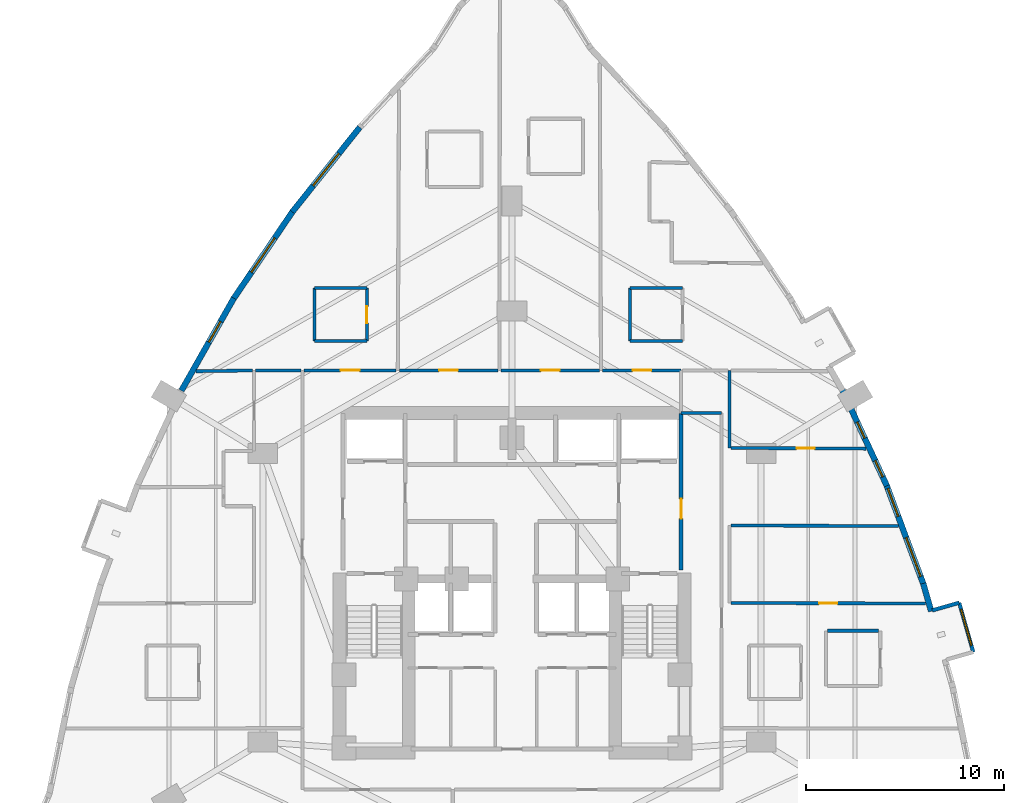
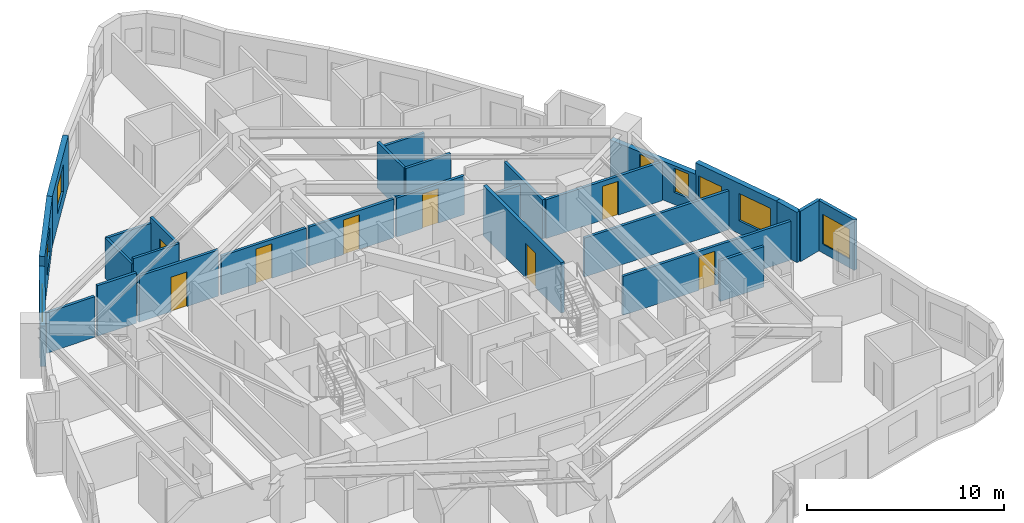
# One storey, part 10 of 13: 28 walls, 8 doors, 8 windows, 16 openings.
"""IFC4 building model written with IfcOpenShell, lengths in metres."""

from ifc_helpers import new_model, si_unit, direction, frame, frame_2d, origin, place, context, subcontext, project, spatial, rectangle, extrude, material, layer, layer_set, type_object, element, fill, save


model = new_model("IFC4")

# Units and contexts
model_context = context("Model", 3, precision=1e-05, world=origin(), true_north=direction((0.0, 1.0)))
body_context = subcontext(model_context, "Body", "Model", "MODEL_VIEW")
ifc_project = project(units=[si_unit("LENGTHUNIT", "METRE"), si_unit("AREAUNIT", "SQUARE_METRE"), si_unit("VOLUMEUNIT", "CUBIC_METRE"), si_unit("PLANEANGLEUNIT", "RADIAN"), si_unit("MASSUNIT", "GRAM", prefix="KILO")], contexts=[model_context])

# Site, building, storey
site_placement = place(None, origin())
site = spatial("IfcSite", under=ifc_project, at=site_placement, CompositionType="ELEMENT")
building_placement = place(site_placement, origin())
building = spatial("IfcBuilding", under=site, at=building_placement, Name="Miruveldt Soraemaru", CompositionType="ELEMENT")
storey_placement = place(building_placement, frame((0.0, 0.0, 46.199951171875)))
storey = spatial("IfcBuildingStorey", under=building, at=storey_placement, Name="L12", CompositionType="ELEMENT", Elevation=46.199951171875)

# Wall
ifc_material_1 = material(Name="White powder-coated aluminium EN AW-6060 T6", Category="aluminium")
ifc_layer_1 = layer(ifc_material_1, 0.18994140625, Name="White powder-coated aluminium EN AW-6060 T6", Category="aluminium")
ifc_layer_set_1 = layer_set([ifc_layer_1], Name="White powder-coated aluminium EN AW-6060 T6")
wall_type_1 = type_object("IfcWallType", Name="WALL-BAY-ALU190", PredefinedType="SOLIDWALL", material=ifc_layer_set_1)
wall_1_placement = place(storey_placement, frame((66.62158203125, 42.850830078125, 0.0), z_axis=(0.0, 0.0, 1.0), x_axis=(-0.961452801096, -0.274970018845, 0.0)))
element("IfcWall", 1, at=wall_1_placement, inside=storey, type_object=wall_type_1, Name="L12 Bay Window Side Cheek 5R", PredefinedType="SOLIDWALL", context=body_context, shape_type="SweptSolid", body=[
    extrude(rectangle(XDim=1.425048828125, YDim=0.18994140625, at=frame_2d((0.71240234375, 0.0))), origin(), (0.0, 0.0, 1.0), 3.125),
])

# Wall, opening, window
wall_2_placement = place(storey_placement, frame((67.33642578125, 40.35107421875, 0.0), z_axis=(0.0, 0.0, 1.0), x_axis=(-0.274944358644, 0.961460139397, 0.0)))
wall_2 = element("IfcWall", 2, at=wall_2_placement, inside=storey, type_object=wall_type_1, Name="L12 Bay Window Front Frame 5", PredefinedType="SOLIDWALL", context=body_context, shape_type="SweptSolid", body=[
    extrude(rectangle(XDim=2.599853515625, YDim=0.18994140625, at=frame_2d((1.2998046875, 0.0))), origin(), (0.0, 0.0, 1.0), 3.125),
])
opening_1_placement = place(wall_2_placement, frame((0.35009765625, 0.0, 0.550048828125)))
opening_1 = element("IfcOpeningElement", 3, at=opening_1_placement, cuts=wall_2, Name="Opening WN-6", PredefinedType="OPENING", context=body_context, shape_type="SweptSolid", body=[
    extrude(rectangle(XDim=1.89990234375, YDim=1.85009765625, at=frame_2d((0.949951171875, 0.925048828125))), frame((0.0, 0.10498046875, 0.0), z_axis=(0.0, -1.0, 0.0), x_axis=(1.0, 0.0, 0.0)), (0.0, 0.0, 1.0), 0.2099609375),
])
ifc_material_2 = material(Name="Triple low-e insulated glazing", Category="glass")
window_type_1 = type_object("IfcWindowType", Name="WIN-BAYW-1900x1850", PartitioningType="SINGLE_PANEL", PredefinedType="WINDOW", material=ifc_material_2)
window_1_placement = place(opening_1_placement, origin())
window_1 = element("IfcWindow", 4, at=window_1_placement, inside=storey, type_object=window_type_1, Name="L12 Projecting Bay Window 5", OverallHeight=1.85009765625, OverallWidth=1.89990234375, PartitioningType="SINGLE_PANEL", PredefinedType="WINDOW", context=body_context, shape_type="SweptSolid", body=[
    extrude(rectangle(XDim=1.89990234375, YDim=1.85009765625, at=frame_2d((0.949951171875, 0.925048828125))), frame((0.0, 0.030029296875, 0.0), z_axis=(0.0, -1.0, 0.0), x_axis=(1.0, 0.0, 0.0)), (0.0, 0.0, 1.0), 0.06005859375),
])
fill(opening_1, window_1)

ifc_material_3 = material(Name="Precast concrete C45/55 (45 MPa)", Category="concrete")
ifc_layer_2 = layer(ifc_material_3, 0.300048828125, Name="Precast concrete C45/55 (45 MPa)", Category="concrete")
ifc_layer_set_2 = layer_set([ifc_layer_2], Name="Precast concrete C45/55 (45 MPa)")
wall_type_2 = type_object("IfcWallType", Name="WALL-EXT-PC300", PredefinedType="SOLIDWALL", material=ifc_layer_set_2)
wall_3_placement = place(storey_placement, frame((36.29931640625, 66.89990234375, 0.0), z_axis=(0.0, 0.0, 1.0), x_axis=(-0.623574647448, -0.781763812836, 0.0)))
wall_3 = element("IfcWall", 5, at=wall_3_placement, inside=storey, type_object=wall_type_2, Name="L12 Precast Concrete Facade Wall 8", PredefinedType="SOLIDWALL", context=body_context, shape_type="SweptSolid", body=[
    extrude(rectangle(XDim=5.477294921875, YDim=0.300048828125, at=frame_2d((2.73876953125, 0.0))), origin(), (0.0, 0.0, 1.0), 3.125),
])
opening_2_placement = place(wall_3_placement, frame((1.68798828125, 0.0, 0.800048828125)))
opening_2 = element("IfcOpeningElement", 6, at=opening_2_placement, cuts=wall_3, Name="Opening WN-1", PredefinedType="OPENING", context=body_context, shape_type="SweptSolid", body=[
    extrude(rectangle(XDim=2.10009765625, YDim=1.699951171875, at=frame_2d((1.050048828125, 0.85009765625))), frame((0.0, 0.16015625, 0.0), z_axis=(0.0, -1.0, 0.0), x_axis=(1.0, 0.0, 0.0)), (0.0, 0.0, 1.0), 0.320068359375),
])
window_type_2 = type_object("IfcWindowType", Name="WIN-PUNCH-2100x1700", PartitioningType="SINGLE_PANEL", PredefinedType="WINDOW", material=ifc_material_2)
window_2_placement = place(opening_2_placement, origin())
window_2 = element("IfcWindow", 7, at=window_2_placement, inside=storey, type_object=window_type_2, Name="L12 Punched Triple-Glazed Window 08.1", OverallHeight=1.699951171875, OverallWidth=2.10009765625, PartitioningType="SINGLE_PANEL", PredefinedType="WINDOW", context=body_context, shape_type="SweptSolid", body=[
    extrude(rectangle(XDim=2.10009765625, YDim=1.699951171875, at=frame_2d((1.050048828125, 0.85009765625))), frame((0.0, 0.030029296875, 0.0), z_axis=(0.0, -1.0, 0.0), x_axis=(1.0, 0.0, 0.0)), (0.0, 0.0, 1.0), 0.06005859375),
])
fill(opening_2, window_2)

wall_4_placement = place(storey_placement, frame((32.925048828125, 62.67431640625, 0.0), z_axis=(0.0, 0.0, 1.0), x_axis=(-0.560829186842, -0.827931532909, 0.0)))
wall_4 = element("IfcWall", 8, at=wall_4_placement, inside=storey, type_object=wall_type_2, Name="L12 Precast Concrete Facade Wall 9", PredefinedType="SOLIDWALL", context=body_context, shape_type="SweptSolid", body=[
    extrude(rectangle(XDim=5.41015625, YDim=0.300048828125, at=frame_2d((2.705078125, 0.0))), origin(), (0.0, 0.0, 1.0), 3.125),
])
opening_3_placement = place(wall_4_placement, frame((1.655029296875, 0.0, 0.800048828125)))
opening_3 = element("IfcOpeningElement", 9, at=opening_3_placement, cuts=wall_4, Name="Opening WN-1", PredefinedType="OPENING", context=body_context, shape_type="SweptSolid", body=[
    extrude(rectangle(XDim=2.10009765625, YDim=1.699951171875, at=frame_2d((1.050048828125, 0.85009765625))), frame((0.0, 0.16015625, 0.0), z_axis=(0.0, -1.0, 0.0), x_axis=(1.0, 0.0, 0.0)), (0.0, 0.0, 1.0), 0.320068359375),
])
window_3_placement = place(opening_3_placement, origin())
window_3 = element("IfcWindow", 10, at=window_3_placement, inside=storey, type_object=window_type_2, Name="L12 Punched Triple-Glazed Window 09.1", OverallHeight=1.699951171875, OverallWidth=2.10009765625, PartitioningType="SINGLE_PANEL", PredefinedType="WINDOW", context=body_context, shape_type="SweptSolid", body=[
    extrude(rectangle(XDim=2.10009765625, YDim=1.699951171875, at=frame_2d((1.050048828125, 0.85009765625))), frame((0.0, 0.030029296875, 0.0), z_axis=(0.0, -1.0, 0.0), x_axis=(1.0, 0.0, 0.0)), (0.0, 0.0, 1.0), 0.06005859375),
])
fill(opening_3, window_3)

wall_5_placement = place(storey_placement, frame((29.927734375, 58.25439453125, 0.0), z_axis=(0.0, 0.0, 1.0), x_axis=(-0.49335395055, -0.869828649492, 0.0)))
wall_5 = element("IfcWall", 11, at=wall_5_placement, inside=storey, type_object=wall_type_2, Name="L12 Precast Concrete Facade Wall 10", PredefinedType="SOLIDWALL", context=body_context, shape_type="SweptSolid", body=[
    extrude(rectangle(XDim=5.376708984375, YDim=0.300048828125, at=frame_2d((2.6884765625, 0.0))), origin(), (0.0, 0.0, 1.0), 2.512939453125),
])
opening_4_placement = place(wall_5_placement, frame((1.35791015625, 0.0, 0.780029296875)))
opening_4 = element("IfcOpeningElement", 12, at=opening_4_placement, cuts=wall_5, Name="Opening WN-4", PredefinedType="OPENING", context=body_context, shape_type="SweptSolid", body=[
    extrude(rectangle(XDim=1.199951171875, YDim=1.550048828125, at=frame_2d((0.60009765625, 0.77490234375))), frame((0.0, 0.16015625, 0.0), z_axis=(0.0, -1.0, 0.0), x_axis=(1.0, 0.0, 0.0)), (0.0, 0.0, 1.0), 0.320068359375),
])
window_type_3 = type_object("IfcWindowType", Name="WIN-PUNCH-1200x1550", PartitioningType="SINGLE_PANEL", PredefinedType="WINDOW", material=ifc_material_2)
window_4_placement = place(opening_4_placement, origin())
window_4 = element("IfcWindow", 13, at=window_4_placement, inside=storey, type_object=window_type_3, Name="L12 Punched Triple-Glazed Window 10.1", OverallHeight=1.550048828125, OverallWidth=1.199951171875, PartitioningType="SINGLE_PANEL", PredefinedType="WINDOW", context=body_context, shape_type="SweptSolid", body=[
    extrude(rectangle(XDim=1.199951171875, YDim=1.550048828125, at=frame_2d((0.60009765625, 0.77490234375))), frame((0.0, 0.030029296875, 0.0), z_axis=(0.0, -1.0, 0.0), x_axis=(1.0, 0.0, 0.0)), (0.0, 0.0, 1.0), 0.06005859375),
])
fill(opening_4, window_4)

# Wall
wall_6_placement = place(storey_placement, frame((65.206787109375, 42.4150390625, 0.0), z_axis=(0.0, 0.0, 1.0), x_axis=(-0.274940666796, 0.961461195131, 0.0)))
element("IfcWall", 14, at=wall_6_placement, inside=storey, type_object=wall_type_2, Name="L12 Precast Pier Wall 36B", PredefinedType="SOLIDWALL", context=body_context, shape_type="SweptSolid", body=[
    extrude(rectangle(XDim=1.46875, YDim=0.300048828125, at=frame_2d((0.734375, 0.0))), origin(), (0.0, 0.0, 1.0), 3.125),
])

# Wall, openings, windows
wall_7_placement = place(storey_placement, frame((64.82470703125, 43.760498046875, 0.0), z_axis=(0.0, 0.0, 1.0), x_axis=(-0.349025890183, 0.937113081747, 0.0)))
wall_7 = element("IfcWall", 15, at=wall_7_placement, inside=storey, type_object=wall_type_2, Name="L12 Precast Concrete Facade Wall 37", PredefinedType="SOLIDWALL", context=body_context, shape_type="SweptSolid", body=[
    extrude(rectangle(XDim=5.41064453125, YDim=0.300048828125, at=frame_2d((2.705322265625, 0.0))), origin(), (0.0, 0.0, 1.0), 3.125),
])
opening_5_placement = place(wall_7_placement, frame((0.444091796875, 0.0, 0.800048828125)))
opening_5 = element("IfcOpeningElement", 16, at=opening_5_placement, cuts=wall_7, Name="Opening WN-1", PredefinedType="OPENING", context=body_context, shape_type="SweptSolid", body=[
    extrude(rectangle(XDim=2.10009765625, YDim=1.699951171875, at=frame_2d((1.050048828125, 0.85009765625))), frame((0.0, 0.16015625, 0.0), z_axis=(0.0, -1.0, 0.0), x_axis=(1.0, 0.0, 0.0)), (0.0, 0.0, 1.0), 0.320068359375),
])
opening_6_placement = place(wall_7_placement, frame((3.68896484375, 0.0, 0.800048828125)))
opening_6 = element("IfcOpeningElement", 17, at=opening_6_placement, cuts=wall_7, Name="Opening WN-3", PredefinedType="OPENING", context=body_context, shape_type="SweptSolid", body=[
    extrude(rectangle(XDim=1.5, YDim=1.60009765625, at=frame_2d((0.75, 0.800048828125))), frame((0.0, 0.16015625, 0.0), z_axis=(0.0, -1.0, 0.0), x_axis=(1.0, 0.0, 0.0)), (0.0, 0.0, 1.0), 0.320068359375),
])
window_type_4 = type_object("IfcWindowType", Name="WIN-PUNCH-1500x1600", PartitioningType="SINGLE_PANEL", PredefinedType="WINDOW", material=ifc_material_2)
window_5_placement = place(opening_6_placement, origin())
window_5 = element("IfcWindow", 18, at=window_5_placement, inside=storey, type_object=window_type_4, Name="L12 Punched Triple-Glazed Window 37.2", OverallHeight=1.60009765625, OverallWidth=1.5, PartitioningType="SINGLE_PANEL", PredefinedType="WINDOW", context=body_context, shape_type="SweptSolid", body=[
    extrude(rectangle(XDim=1.5, YDim=1.60009765625, at=frame_2d((0.75, 0.800048828125))), frame((0.0, 0.030029296875, 0.0), z_axis=(0.0, -1.0, 0.0), x_axis=(1.0, 0.0, 0.0)), (0.0, 0.0, 1.0), 0.06005859375),
])
fill(opening_6, window_5)
window_6_placement = place(opening_5_placement, origin())
window_6 = element("IfcWindow", 19, at=window_6_placement, inside=storey, type_object=window_type_2, Name="L12 Punched Triple-Glazed Window 37.1", OverallHeight=1.699951171875, OverallWidth=2.10009765625, PartitioningType="SINGLE_PANEL", PredefinedType="WINDOW", context=body_context, shape_type="SweptSolid", body=[
    extrude(rectangle(XDim=2.10009765625, YDim=1.699951171875, at=frame_2d((1.050048828125, 0.85009765625))), frame((0.0, 0.030029296875, 0.0), z_axis=(0.0, -1.0, 0.0), x_axis=(1.0, 0.0, 0.0)), (0.0, 0.0, 1.0), 0.06005859375),
])
fill(opening_5, window_6)

wall_8_placement = place(storey_placement, frame((62.96337890625, 48.76611328125, 0.0), z_axis=(0.0, 0.0, 1.0), x_axis=(-0.422286297116, 0.90646251068, 0.0)))
wall_8 = element("IfcWall", 20, at=wall_8_placement, inside=storey, type_object=wall_type_2, Name="L12 Precast Concrete Facade Wall 38", PredefinedType="SOLIDWALL", context=body_context, shape_type="SweptSolid", body=[
    extrude(rectangle(XDim=5.376708984375, YDim=0.300048828125, at=frame_2d((2.6884765625, 0.0))), origin(), (0.0, 0.0, 1.0), 2.4130859375),
])
opening_7_placement = place(wall_8_placement, frame((0.5029296875, 0.0, 0.7529296875)))
opening_7 = element("IfcOpeningElement", 21, at=opening_7_placement, cuts=wall_8, Name="Opening WN-7", PredefinedType="OPENING", context=body_context, shape_type="SweptSolid", body=[
    extrude(rectangle(XDim=0.89990234375, YDim=1.5, at=frame_2d((0.449951171875, 0.75))), frame((0.0, 0.16015625, 0.0), z_axis=(0.0, -1.0, 0.0), x_axis=(1.0, 0.0, 0.0)), (0.0, 0.0, 1.0), 0.320068359375),
])
opening_8_placement = place(wall_8_placement, frame((2.652099609375, 0.0, 0.7529296875)))
opening_8 = element("IfcOpeningElement", 22, at=opening_8_placement, cuts=wall_8, Name="Opening WN-7", PredefinedType="OPENING", context=body_context, shape_type="SweptSolid", body=[
    extrude(rectangle(XDim=0.89990234375, YDim=1.5, at=frame_2d((0.449951171875, 0.75))), frame((0.0, 0.16015625, 0.0), z_axis=(0.0, -1.0, 0.0), x_axis=(1.0, 0.0, 0.0)), (0.0, 0.0, 1.0), 0.320068359375),
])
window_type_5 = type_object("IfcWindowType", Name="WIN-PUNCH-900x1500", PartitioningType="SINGLE_PANEL", PredefinedType="WINDOW", material=ifc_material_2)
window_7_placement = place(opening_7_placement, origin())
window_7 = element("IfcWindow", 23, at=window_7_placement, inside=storey, type_object=window_type_5, Name="L12 Punched Triple-Glazed Window 38.1", OverallHeight=1.5, OverallWidth=0.89990234375, PartitioningType="SINGLE_PANEL", PredefinedType="WINDOW", context=body_context, shape_type="SweptSolid", body=[
    extrude(rectangle(XDim=0.89990234375, YDim=1.5, at=frame_2d((0.449951171875, 0.75))), frame((0.0, 0.030029296875, 0.0), z_axis=(0.0, -1.0, 0.0), x_axis=(1.0, 0.0, 0.0)), (0.0, 0.0, 1.0), 0.06005859375),
])
fill(opening_7, window_7)
window_8_placement = place(opening_8_placement, origin())
window_8 = element("IfcWindow", 24, at=window_8_placement, inside=storey, type_object=window_type_5, Name="L12 Punched Triple-Glazed Window 38.2", OverallHeight=1.5, OverallWidth=0.89990234375, PartitioningType="SINGLE_PANEL", PredefinedType="WINDOW", context=body_context, shape_type="SweptSolid", body=[
    extrude(rectangle(XDim=0.89990234375, YDim=1.5, at=frame_2d((0.449951171875, 0.75))), frame((0.0, 0.030029296875, 0.0), z_axis=(0.0, -1.0, 0.0), x_axis=(1.0, 0.0, 0.0)), (0.0, 0.0, 1.0), 0.06005859375),
])
fill(opening_8, window_8)

# Wall, opening, door
ifc_material_4 = material(Name="Gypsum plasterboard lining", Category="gypsum")
ifc_layer_3 = layer(ifc_material_4, 0.14990234375, Name="Gypsum plasterboard lining", Category="gypsum")
ifc_layer_set_3 = layer_set([ifc_layer_3], Name="Gypsum plasterboard lining")
wall_type_3 = type_object("IfcWallType", Name="WALL-INT-PLUMB", PredefinedType="PLUMBINGWALL", material=ifc_layer_set_3)
wall_9_placement = place(storey_placement, frame((36.656982421875, 56.080078125, 0.0), z_axis=(0.0, 0.0, 1.0), x_axis=(0.0, 1.0, 0.0)))
wall_9 = element("IfcWall", 25, at=wall_9_placement, inside=storey, type_object=wall_type_3, Name="L12 Partition Wall 13", PredefinedType="PLUMBINGWALL", context=body_context, shape_type="SweptSolid", body=[
    extrude(rectangle(XDim=2.699951171875, YDim=0.14990234375, at=frame_2d((1.35009765625, 0.0))), origin(), (0.0, 0.0, 1.0), 2.863037109375),
])
opening_9_placement = place(wall_9_placement, frame((0.909912109375, 0.0, 0.0)))
opening_9 = element("IfcOpeningElement", 26, at=opening_9_placement, cuts=wall_9, Name="Opening FD3", PredefinedType="OPENING", context=body_context, shape_type="SweptSolid", body=[
    extrude(rectangle(XDim=0.85009765625, YDim=2.10009765625, at=frame_2d((0.425048828125, 1.050048828125))), frame((0.0, 0.0849609375, 0.0), z_axis=(0.0, -1.0, 0.0), x_axis=(1.0, 0.0, 0.0)), (0.0, 0.0, 1.0), 0.169921875),
])
ifc_material_5 = material(Name="Anodised aluminium EN AW-6063 T6", Category="aluminium")
door_type_1 = type_object("IfcDoorType", Name="DOOR-FD3-850", OperationType="NOTDEFINED", PredefinedType="DOOR", material=ifc_material_5)
door_1_placement = place(opening_9_placement, origin())
door_1 = element("IfcDoor", 27, at=door_1_placement, inside=storey, type_object=door_type_1, Name="L12 Unit CL01 BTH Door", OperationType="SINGLE_SWING_LEFT", OverallHeight=2.10009765625, OverallWidth=0.85009765625, PredefinedType="DOOR", context=body_context, shape_type="SweptSolid", body=[
    extrude(rectangle(XDim=0.85009765625, YDim=2.10009765625, at=frame_2d((0.425048828125, 1.050048828125))), frame((0.0, 0.02490234375, 0.0), z_axis=(0.0, -1.0, 0.0), x_axis=(1.0, 0.0, 0.0)), (0.0, 0.0, 1.0), 0.050048828125),
])
fill(opening_9, door_1)

# Walls
wall_10_placement = place(storey_placement, frame((34.007080078125, 58.780029296875, 0.0), z_axis=(0.0, 0.0, 1.0), x_axis=(0.0, -1.0, 0.0)))
element("IfcWall", 28, at=wall_10_placement, inside=storey, type_object=wall_type_3, Name="L12 Partition Wall 15", PredefinedType="PLUMBINGWALL", context=body_context, shape_type="SweptSolid", body=[
    extrude(rectangle(XDim=2.699951171875, YDim=0.14990234375, at=frame_2d((1.35009765625, 0.0))), origin(), (0.0, 0.0, 1.0), 2.512939453125),
])
wall_11_placement = place(storey_placement, frame((49.97998046875, 58.780029296875, 0.0), z_axis=(0.0, 0.0, 1.0), x_axis=(0.0, -1.0, 0.0)))
element("IfcWall", 29, at=wall_11_placement, inside=storey, type_object=wall_type_3, Name="L12 Partition Wall 32", PredefinedType="PLUMBINGWALL", context=body_context, shape_type="SweptSolid", body=[
    extrude(rectangle(XDim=2.699951171875, YDim=0.14990234375, at=frame_2d((1.35009765625, 0.0))), origin(), (0.0, 0.0, 1.0), 2.863037109375),
])
wall_12_placement = place(storey_placement, frame((52.6298828125, 58.780029296875, 0.0), z_axis=(0.0, 0.0, 1.0), x_axis=(-1.0, 0.0, 0.0)))
element("IfcWall", 30, at=wall_12_placement, inside=storey, type_object=wall_type_3, Name="L12 Partition Wall 31", PredefinedType="PLUMBINGWALL", context=body_context, shape_type="SweptSolid", body=[
    extrude(rectangle(XDim=2.64990234375, YDim=0.14990234375, at=frame_2d((1.324951171875, 0.0))), origin(), (0.0, 0.0, 1.0), 2.512939453125),
])
wall_13_placement = place(storey_placement, frame((49.97998046875, 56.080078125, 0.0), z_axis=(0.0, 0.0, 1.0), x_axis=(1.0, 0.0, 0.0)))
element("IfcWall", 31, at=wall_13_placement, inside=storey, type_object=wall_type_3, Name="L12 Partition Wall 33", PredefinedType="PLUMBINGWALL", context=body_context, shape_type="SweptSolid", body=[
    extrude(rectangle(XDim=2.64990234375, YDim=0.14990234375, at=frame_2d((1.324951171875, 0.0))), origin(), (0.0, 0.0, 1.0), 2.863037109375),
])
wall_14_placement = place(storey_placement, frame((36.656982421875, 58.780029296875, 0.0), z_axis=(0.0, 0.0, 1.0), x_axis=(-1.0, 0.0, 0.0)))
element("IfcWall", 32, at=wall_14_placement, inside=storey, type_object=wall_type_3, Name="L12 Partition Wall 14", PredefinedType="PLUMBINGWALL", context=body_context, shape_type="SweptSolid", body=[
    extrude(rectangle(XDim=2.64990234375, YDim=0.14990234375, at=frame_2d((1.324951171875, 0.0))), origin(), (0.0, 0.0, 1.0), 2.512939453125),
])
wall_15_placement = place(storey_placement, frame((34.007080078125, 56.080078125, 0.0), z_axis=(0.0, 0.0, 1.0), x_axis=(1.0, 0.0, 0.0)))
element("IfcWall", 33, at=wall_15_placement, inside=storey, type_object=wall_type_3, Name="L12 Partition Wall 16", PredefinedType="PLUMBINGWALL", context=body_context, shape_type="SweptSolid", body=[
    extrude(rectangle(XDim=2.64990234375, YDim=0.14990234375, at=frame_2d((1.324951171875, 0.0))), origin(), (0.0, 0.0, 1.0), 2.863037109375),
])

# Wall, opening, door
ifc_material_6 = material(Name="Concrete C40/50 (40 MPa)", Category="concrete")
ifc_layer_4 = layer(ifc_material_6, 0.159912109375, Name="Concrete C40/50 (40 MPa)", Category="concrete")
ifc_layer_set_4 = layer_set([ifc_layer_4], Name="Concrete C40/50 (40 MPa)")
wall_type_4 = type_object("IfcWallType", Name="WALL-INT-RC160", PredefinedType="SOLIDWALL", material=ifc_layer_set_4)
wall_16_placement = place(storey_placement, frame((64.922119140625, 42.81201171875, 0.0), z_axis=(0.0, 0.0, 1.0), x_axis=(-0.999997281473, 0.002331747686, 0.0)))
wall_16 = element("IfcWall", 34, at=wall_16_placement, inside=storey, type_object=wall_type_4, Name="L12 Partition Wall 62", PredefinedType="SOLIDWALL", context=body_context, shape_type="SweptSolid", body=[
    extrude(rectangle(XDim=9.842041015625, YDim=0.159912109375, at=frame_2d((4.9208984375, 0.0))), origin(), (0.0, 0.0, 1.0), 2.4130859375),
])
opening_10_placement = place(wall_16_placement, frame((4.4609375, 0.0, 0.0)))
opening_10 = element("IfcOpeningElement", 35, at=opening_10_placement, cuts=wall_16, Name="Opening D3A", PredefinedType="OPENING", context=body_context, shape_type="SweptSolid", body=[
    extrude(rectangle(XDim=0.919921875, YDim=2.10009765625, at=frame_2d((0.4599609375, 1.050048828125))), frame((0.0, 0.08984375, 0.0), z_axis=(0.0, -1.0, 0.0), x_axis=(1.0, 0.0, 0.0)), (0.0, 0.0, 1.0), 0.179931640625),
])
door_type_2 = type_object("IfcDoorType", Name="DOOR-INT-920", OperationType="NOTDEFINED", PredefinedType="DOOR", material=ifc_material_5)
door_2_placement = place(opening_10_placement, origin())
door_2 = element("IfcDoor", 36, at=door_2_placement, inside=storey, type_object=door_type_2, Name="L12 Unit 1206 BD1 Door", OperationType="SINGLE_SWING_RIGHT", OverallHeight=2.10009765625, OverallWidth=0.919921875, PredefinedType="DOOR", context=body_context, shape_type="SweptSolid", body=[
    extrude(rectangle(XDim=0.919921875, YDim=2.10009765625, at=frame_2d((0.4599609375, 1.050048828125))), frame((0.0, 0.02490234375, 0.0), z_axis=(0.0, -1.0, 0.0), x_axis=(1.0, 0.0, 0.0)), (0.0, 0.0, 1.0), 0.050048828125),
])
fill(opening_10, door_2)

wall_17_placement = place(storey_placement, frame((61.906982421875, 50.64208984375, 0.0), z_axis=(0.0, 0.0, 1.0), x_axis=(-0.999986182542, 0.005256874042, 0.0)))
wall_17 = element("IfcWall", 37, at=wall_17_placement, inside=storey, type_object=wall_type_4, Name="L12 Partition Wall 65", PredefinedType="SOLIDWALL", context=body_context, shape_type="SweptSolid", body=[
    extrude(rectangle(XDim=6.826904296875, YDim=0.159912109375, at=frame_2d((3.41357421875, 0.0))), origin(), (0.0, 0.0, 1.0), 2.4130859375),
])
opening_11_placement = place(wall_17_placement, frame((2.593994140625, 0.0, 0.0)))
opening_11 = element("IfcOpeningElement", 38, at=opening_11_placement, cuts=wall_17, Name="Opening D3A", PredefinedType="OPENING", context=body_context, shape_type="SweptSolid", body=[
    extrude(rectangle(XDim=0.919921875, YDim=2.10009765625, at=frame_2d((0.4599609375, 1.050048828125))), frame((0.0, 0.08984375, 0.0), z_axis=(0.0, -1.0, 0.0), x_axis=(1.0, 0.0, 0.0)), (0.0, 0.0, 1.0), 0.179931640625),
])
door_3_placement = place(opening_11_placement, origin())
door_3 = element("IfcDoor", 39, at=door_3_placement, inside=storey, type_object=door_type_2, Name="L12 Unit 1206 EXT Door", OperationType="SINGLE_SWING_LEFT", OverallHeight=2.10009765625, OverallWidth=0.919921875, PredefinedType="DOOR", context=body_context, shape_type="SweptSolid", body=[
    extrude(rectangle(XDim=0.919921875, YDim=2.10009765625, at=frame_2d((0.4599609375, 1.050048828125))), frame((0.0, 0.02490234375, 0.0), z_axis=(0.0, -1.0, 0.0), x_axis=(1.0, 0.0, 0.0)), (0.0, 0.0, 1.0), 0.050048828125),
])
fill(opening_11, door_3)

wall_18_placement = place(storey_placement, frame((43.281982421875, 54.60009765625, 0.0), z_axis=(0.0, 0.0, 1.0), x_axis=(-1.0, 0.0, 0.0)))
wall_18 = element("IfcWall", 40, at=wall_18_placement, inside=storey, type_object=wall_type_4, Name="L12 Partition Wall 2", PredefinedType="SOLIDWALL", context=body_context, shape_type="SweptSolid", body=[
    extrude(rectangle(XDim=4.97900390625, YDim=0.159912109375, at=frame_2d((2.489501953125, 0.0))), origin(), (0.0, 0.0, 1.0), 2.4130859375),
])
opening_12_placement = place(wall_18_placement, frame((2.013916015625, 0.0, 0.0)))
opening_12 = element("IfcOpeningElement", 41, at=opening_12_placement, cuts=wall_18, Name="Opening FD2", PredefinedType="OPENING", context=body_context, shape_type="SweptSolid", body=[
    extrude(rectangle(XDim=0.949951171875, YDim=2.14990234375, at=frame_2d((0.47509765625, 1.074951171875))), frame((0.0, 0.08984375, 0.0), z_axis=(0.0, -1.0, 0.0), x_axis=(1.0, 0.0, 0.0)), (0.0, 0.0, 1.0), 0.179931640625),
])
door_type_3 = type_object("IfcDoorType", Name="DOOR-FD2-950", OperationType="NOTDEFINED", PredefinedType="DOOR", material=ifc_material_5)
door_4_placement = place(opening_12_placement, origin())
door_4 = element("IfcDoor", 42, at=door_4_placement, inside=storey, type_object=door_type_3, Name="L12 Unit CL02 Entrance Fire Door", OperationType="SINGLE_SWING_RIGHT", OverallHeight=2.14990234375, OverallWidth=0.949951171875, PredefinedType="DOOR", context=body_context, shape_type="SweptSolid", body=[
    extrude(rectangle(XDim=0.949951171875, YDim=2.14990234375, at=frame_2d((0.47509765625, 1.074951171875))), frame((0.0, 0.02490234375, 0.0), z_axis=(0.0, -1.0, 0.0), x_axis=(1.0, 0.0, 0.0)), (0.0, 0.0, 1.0), 0.050048828125),
])
fill(opening_12, door_4)

wall_19_placement = place(storey_placement, frame((48.419921875, 54.60009765625, 0.0), z_axis=(0.0, 0.0, 1.0), x_axis=(-1.0, 0.0, 0.0)))
wall_19 = element("IfcWall", 43, at=wall_19_placement, inside=storey, type_object=wall_type_4, Name="L12 Partition Wall 3", PredefinedType="SOLIDWALL", context=body_context, shape_type="SweptSolid", body=[
    extrude(rectangle(XDim=4.97802734375, YDim=0.159912109375, at=frame_2d((2.489013671875, 0.0))), origin(), (0.0, 0.0, 1.0), 2.4130859375),
])
opening_13_placement = place(wall_19_placement, frame((2.013916015625, 0.0, 0.0)))
opening_13 = element("IfcOpeningElement", 44, at=opening_13_placement, cuts=wall_19, Name="Opening FD2", PredefinedType="OPENING", context=body_context, shape_type="SweptSolid", body=[
    extrude(rectangle(XDim=0.949951171875, YDim=2.14990234375, at=frame_2d((0.47509765625, 1.074951171875))), frame((0.0, 0.08984375, 0.0), z_axis=(0.0, -1.0, 0.0), x_axis=(1.0, 0.0, 0.0)), (0.0, 0.0, 1.0), 0.179931640625),
])
door_5_placement = place(opening_13_placement, origin())
door_5 = element("IfcDoor", 45, at=door_5_placement, inside=storey, type_object=door_type_3, Name="L12 Unit CL03 Entrance Fire Door", OperationType="SINGLE_SWING_RIGHT", OverallHeight=2.14990234375, OverallWidth=0.949951171875, PredefinedType="DOOR", context=body_context, shape_type="SweptSolid", body=[
    extrude(rectangle(XDim=0.949951171875, YDim=2.14990234375, at=frame_2d((0.47509765625, 1.074951171875))), frame((0.0, 0.02490234375, 0.0), z_axis=(0.0, -1.0, 0.0), x_axis=(1.0, 0.0, 0.0)), (0.0, 0.0, 1.0), 0.050048828125),
])
fill(opening_13, door_5)

wall_20_placement = place(storey_placement, frame((38.14306640625, 54.60009765625, 0.0), z_axis=(0.0, 0.0, 1.0), x_axis=(-1.0, 0.0, 0.0)))
wall_20 = element("IfcWall", 46, at=wall_20_placement, inside=storey, type_object=wall_type_4, Name="L12 Partition Wall 1", PredefinedType="SOLIDWALL", context=body_context, shape_type="SweptSolid", body=[
    extrude(rectangle(XDim=4.6630859375, YDim=0.159912109375, at=frame_2d((2.33154296875, 0.0))), origin(), (0.0, 0.0, 1.0), 2.863037109375),
])
opening_14_placement = place(wall_20_placement, frame((1.85693359375, 0.0, 0.0)))
opening_14 = element("IfcOpeningElement", 47, at=opening_14_placement, cuts=wall_20, Name="Opening FD2", PredefinedType="OPENING", context=body_context, shape_type="SweptSolid", body=[
    extrude(rectangle(XDim=0.949951171875, YDim=2.14990234375, at=frame_2d((0.47509765625, 1.074951171875))), frame((0.0, 0.08984375, 0.0), z_axis=(0.0, -1.0, 0.0), x_axis=(1.0, 0.0, 0.0)), (0.0, 0.0, 1.0), 0.179931640625),
])
door_6_placement = place(opening_14_placement, origin())
door_6 = element("IfcDoor", 48, at=door_6_placement, inside=storey, type_object=door_type_3, Name="L12 Unit CL01 Entrance Fire Door", OperationType="SINGLE_SWING_RIGHT", OverallHeight=2.14990234375, OverallWidth=0.949951171875, PredefinedType="DOOR", context=body_context, shape_type="SweptSolid", body=[
    extrude(rectangle(XDim=0.949951171875, YDim=2.14990234375, at=frame_2d((0.47509765625, 1.074951171875))), frame((0.0, 0.02490234375, 0.0), z_axis=(0.0, -1.0, 0.0), x_axis=(1.0, 0.0, 0.0)), (0.0, 0.0, 1.0), 0.050048828125),
])
fill(opening_14, door_6)

wall_21_placement = place(storey_placement, frame((52.56005859375, 54.60009765625, 0.0), z_axis=(0.0, 0.0, 1.0), x_axis=(-1.0, 0.0, 0.0)))
wall_21 = element("IfcWall", 49, at=wall_21_placement, inside=storey, type_object=wall_type_4, Name="L12 Partition Wall 4", PredefinedType="SOLIDWALL", context=body_context, shape_type="SweptSolid", body=[
    extrude(rectangle(XDim=3.97705078125, YDim=0.159912109375, at=frame_2d((1.988525390625, 0.0))), origin(), (0.0, 0.0, 1.0), 2.4130859375),
])
opening_15_placement = place(wall_21_placement, frame((1.513916015625, 0.0, 0.0)))
opening_15 = element("IfcOpeningElement", 50, at=opening_15_placement, cuts=wall_21, Name="Opening FD2", PredefinedType="OPENING", context=body_context, shape_type="SweptSolid", body=[
    extrude(rectangle(XDim=0.949951171875, YDim=2.14990234375, at=frame_2d((0.47509765625, 1.074951171875))), frame((0.0, 0.08984375, 0.0), z_axis=(0.0, -1.0, 0.0), x_axis=(1.0, 0.0, 0.0)), (0.0, 0.0, 1.0), 0.179931640625),
])
door_7_placement = place(opening_15_placement, origin())
door_7 = element("IfcDoor", 51, at=door_7_placement, inside=storey, type_object=door_type_3, Name="L12 Unit 1204 Entrance Fire Door", OperationType="SINGLE_SWING_RIGHT", OverallHeight=2.14990234375, OverallWidth=0.949951171875, PredefinedType="DOOR", context=body_context, shape_type="SweptSolid", body=[
    extrude(rectangle(XDim=0.949951171875, YDim=2.14990234375, at=frame_2d((0.47509765625, 1.074951171875))), frame((0.0, 0.02490234375, 0.0), z_axis=(0.0, -1.0, 0.0), x_axis=(1.0, 0.0, 0.0)), (0.0, 0.0, 1.0), 0.050048828125),
])
fill(opening_15, door_7)

# Walls
wall_22_placement = place(storey_placement, frame((55.080078125, 46.757080078125, 0.0), z_axis=(0.0, 0.0, 1.0), x_axis=(0.999993706119, -0.003547918134, 0.0)))
element("IfcWall", 52, at=wall_22_placement, inside=storey, type_object=wall_type_4, Name="L12 Partition Wall 64", PredefinedType="SOLIDWALL", context=body_context, shape_type="SweptSolid", body=[
    extrude(rectangle(XDim=8.4638671875, YDim=0.159912109375, at=frame_2d((4.23193359375, 0.0))), origin(), (0.0, 0.0, 1.0), 2.4130859375),
])
wall_23_placement = place(storey_placement, frame((55.0, 50.677978515625, 0.0), z_axis=(0.0, 0.0, 1.0), x_axis=(0.0, 1.0, 0.0)))
element("IfcWall", 53, at=wall_23_placement, inside=storey, type_object=wall_type_4, Name="L12 Partition Wall 66", PredefinedType="SOLIDWALL", context=body_context, shape_type="SweptSolid", body=[
    extrude(rectangle(XDim=3.922119140625, YDim=0.159912109375, at=frame_2d((1.9609375, 0.0))), origin(), (0.0, 0.0, 1.0), 2.4130859375),
])
wall_24_placement = place(storey_placement, frame((28.02099609375, 54.55810546875, 0.0), z_axis=(0.0, 0.0, 1.0), x_axis=(0.999896395323, 0.014394395408, 0.0)))
element("IfcWall", 54, at=wall_24_placement, inside=storey, type_object=wall_type_4, Name="L12 Partition Wall 19", PredefinedType="SOLIDWALL", context=body_context, shape_type="SweptSolid", body=[
    extrude(rectangle(XDim=2.849365234375, YDim=0.159912109375, at=frame_2d((1.4248046875, 0.0))), origin(), (0.0, 0.0, 1.0), 2.512939453125),
])
wall_25_placement = place(storey_placement, frame((62.550048828125, 41.429931640625, 0.0), z_axis=(0.0, 0.0, 1.0), x_axis=(-1.0, 0.0, 0.0)))
element("IfcWall", 55, at=wall_25_placement, inside=storey, type_object=wall_type_4, Name="L12 Partition Wall 59", PredefinedType="SOLIDWALL", context=body_context, shape_type="SweptSolid", body=[
    extrude(rectangle(XDim=2.590087890625, YDim=0.159912109375, at=frame_2d((1.294921875, 0.0))), origin(), (0.0, 0.0, 1.0), 2.512939453125),
])
wall_26_placement = place(storey_placement, frame((31.032958984375, 54.60009765625, 0.0), z_axis=(0.0, 0.0, 1.0), x_axis=(1.0, 0.0, 0.0)))
element("IfcWall", 56, at=wall_26_placement, inside=storey, type_object=wall_type_4, Name="L12 Partition Wall 18", PredefinedType="SOLIDWALL", context=body_context, shape_type="SweptSolid", body=[
    extrude(rectangle(XDim=2.283935546875, YDim=0.159912109375, at=frame_2d((1.14208984375, 0.0))), origin(), (0.0, 0.0, 1.0), 3.125),
])
wall_27_placement = place(storey_placement, frame((54.60009765625, 52.449951171875, 0.0), z_axis=(0.0, 0.0, 1.0), x_axis=(-1.0, 0.0, 0.0)))
element("IfcWall", 57, at=wall_27_placement, inside=storey, type_object=wall_type_4, Name="L12 Partition Wall 8", PredefinedType="SOLIDWALL", context=body_context, shape_type="SweptSolid", body=[
    extrude(rectangle(XDim=2.050048828125, YDim=0.159912109375, at=frame_2d((1.02490234375, 0.0))), origin(), (0.0, 0.0, 1.0), 2.4130859375),
])

# Wall, opening, door
ifc_layer_5 = layer(ifc_material_6, 0.199951171875, Name="Concrete C40/50 (40 MPa)", Category="concrete")
ifc_layer_set_5 = layer_set([ifc_layer_5], Name="Concrete C40/50 (40 MPa)")
wall_type_5 = type_object("IfcWallType", Name="WALL-INT-RC200", PredefinedType="SOLIDWALL", material=ifc_layer_set_5)
wall_28_placement = place(storey_placement, frame((52.550048828125, 44.5, 0.0), z_axis=(0.0, 0.0, 1.0), x_axis=(0.0, 1.0, 0.0)))
wall_28 = element("IfcWall", 58, at=wall_28_placement, inside=storey, type_object=wall_type_5, Name="L12 Core Compartment Wall FFE-OUT", PredefinedType="SOLIDWALL", context=body_context, shape_type="SweptSolid", body=[
    extrude(rectangle(XDim=7.919921875, YDim=0.199951171875, at=frame_2d((3.9599609375, 0.0))), origin(), (0.0, 0.0, 1.0), 3.125),
])
opening_16_placement = place(wall_28_placement, frame((2.60009765625, 0.0, 0.0)))
opening_16 = element("IfcOpeningElement", 59, at=opening_16_placement, cuts=wall_28, Name="Opening FD1", PredefinedType="OPENING", context=body_context, shape_type="SweptSolid", body=[
    extrude(rectangle(XDim=1.0, YDim=2.14990234375, at=frame_2d((0.5, 1.074951171875))), frame((0.0, 0.10986328125, 0.0), z_axis=(0.0, -1.0, 0.0), x_axis=(1.0, 0.0, 0.0)), (0.0, 0.0, 1.0), 0.219970703125),
])
door_type_4 = type_object("IfcDoorType", Name="DOOR-FD1-1000", OperationType="NOTDEFINED", PredefinedType="DOOR", material=ifc_material_5)
door_8_placement = place(opening_16_placement, frame((1.0, 0.0, 0.0), z_axis=(0.0, 0.0, 1.0), x_axis=(-1.0, 0.0, 0.0)))
door_8 = element("IfcDoor", 60, at=door_8_placement, inside=storey, type_object=door_type_4, Name="L12 East Firefighting Lobby Exit Door", OperationType="SINGLE_SWING_RIGHT", OverallHeight=2.14990234375, OverallWidth=1.0, PredefinedType="DOOR", context=body_context, shape_type="SweptSolid", body=[
    extrude(rectangle(XDim=1.0, YDim=2.14990234375, at=frame_2d((0.5, 1.074951171875))), frame((0.0, 0.02490234375, 0.0), z_axis=(0.0, -1.0, 0.0), x_axis=(1.0, 0.0, 0.0)), (0.0, 0.0, 1.0), 0.050048828125),
])
fill(opening_16, door_8)

save(model, "model.ifc")
